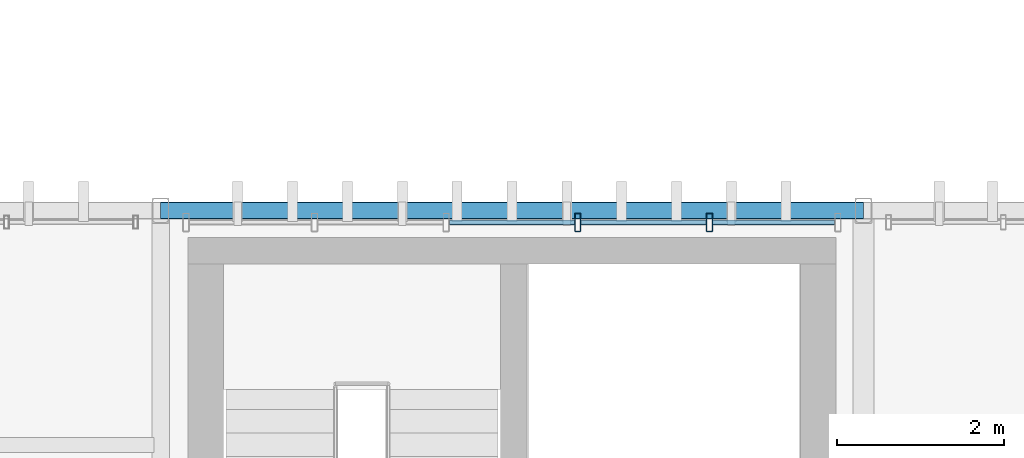
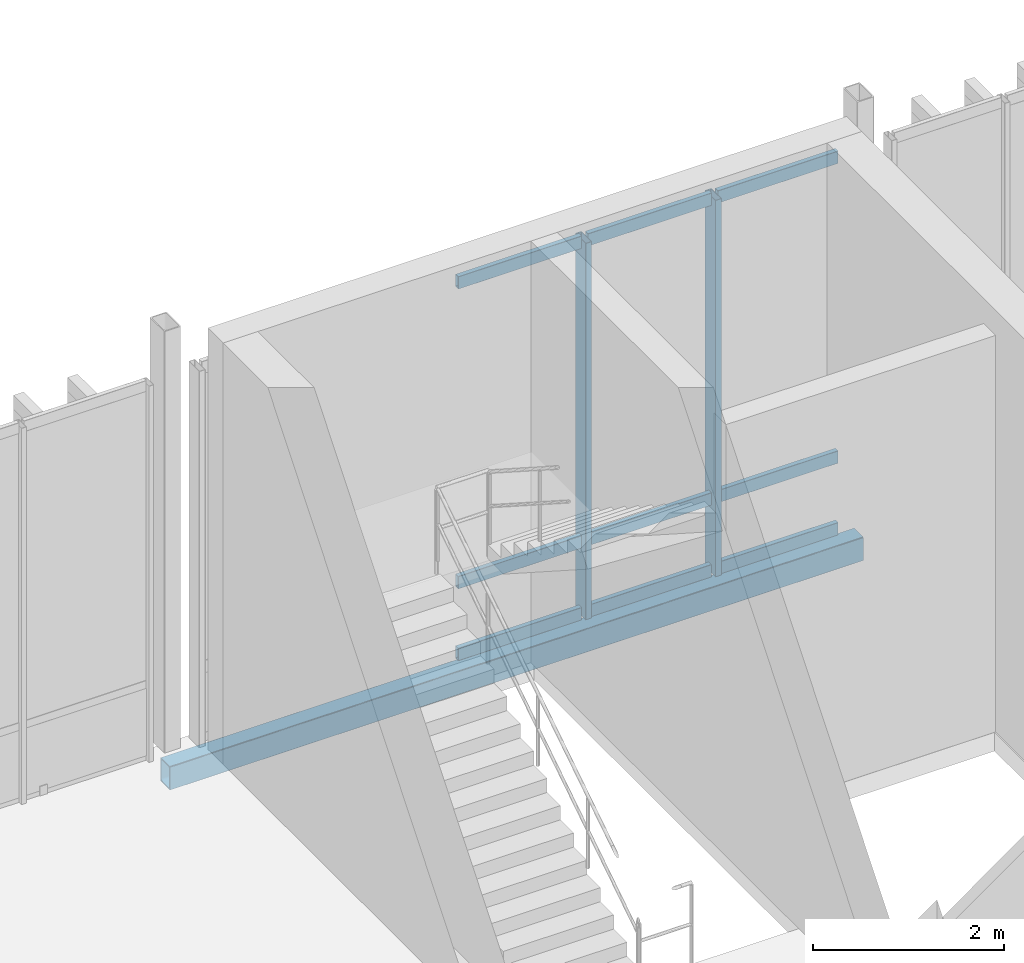
# One storey, part 34 of 128: 11 members, 1 beam, 1 element without a shape of its own.
"""IFC4 building model written with IfcOpenShell, lengths in metres."""

from ifc_helpers import new_model, si_unit, direction, frame, origin_with_axes, origin_2d_with_axis, place, context, subcontext, project, spatial, hollow_rectangle, extrude, material, material_profile, profile_set, type_object, element, aggregate, save


model = new_model("IFC4")

# Units and contexts
model_context = context("Model", 3, precision=1e-05, world=origin_with_axes(), true_north=direction((0.0, 1.0)))
body_context = subcontext(model_context, "Body", "Model", "MODEL_VIEW")
ifc_project = project(units=[si_unit("LENGTHUNIT", "METRE"), si_unit("AREAUNIT", "SQUARE_METRE"), si_unit("VOLUMEUNIT", "CUBIC_METRE"), si_unit("PLANEANGLEUNIT", "RADIAN"), si_unit("MASSUNIT", "GRAM", prefix="KILO"), si_unit("THERMODYNAMICTEMPERATUREUNIT", "KELVIN")], contexts=[model_context])

# Site, building, storey
site_placement = place(None, origin_with_axes())
site = spatial("IfcSite", under=ifc_project, at=site_placement, CompositionType="ELEMENT")
building_placement = place(site_placement, origin_with_axes())
building = spatial("IfcBuilding", under=site, at=building_placement, Name="Montbau Bow Law Courts", CompositionType="ELEMENT")
storey_placement = place(building_placement, frame((0.0, 0.0, 5.4), z_axis=(0.0, 0.0, 1.0), x_axis=(1.0, 0.0, 0.0)))
storey = spatial("IfcBuildingStorey", under=building, at=storey_placement, Name="L01", CompositionType="ELEMENT", Elevation=5.4)

# Beam
ifc_material_1 = material(Name="Steel CSA G40.21 Grade 350WT (350 MPa)", Category="steel")
ifc_material_profile_1 = material_profile(ifc_material_1, hollow_rectangle(XDim=0.203, YDim=0.305, WallThickness=0.0127, InnerFilletRadius=0.0254, OuterFilletRadius=0.0127, at=origin_2d_with_axis()), Name="HSS305X203X13", Category="Main", Priority=0)
ifc_profile_set_1 = profile_set([ifc_material_profile_1], Name="Steel CSA G40.21 Grade 350WT (350 MPa)")
beam_type = type_object("IfcBeamType", Name="B-SPN-02", PredefinedType="SPANDREL", material=ifc_profile_set_1)
beam_placement = place(None, frame((30.6, 54.6, 5.008), z_axis=(1.0, 0.0, 0.0), x_axis=(0.0, 1.0, 0.0)))
element("IfcBeam", 1, at=beam_placement, inside=storey, type_object=beam_type, Name="SPN-L01-S0532:bm2_0535", PredefinedType="SPANDREL", context=body_context, shape_type="SweptSolid", body=[
    extrude(hollow_rectangle(XDim=0.203, YDim=0.305, WallThickness=0.0127, InnerFilletRadius=0.0254, OuterFilletRadius=0.0127, at=origin_2d_with_axis()), origin_with_axes(), (0.0, 0.0, 1.0), 8.4),
])

# Curtain wall, members
ifc_material_2 = material(Name="Thermally Broken Extruded Aluminium AA 6063-T6", Category="aluminium")
curtain_wall_type = type_object("IfcCurtainWallType", Name="CW-TRC-01", PredefinedType="NOTDEFINED", material=ifc_material_2)
curtain_wall_placement = place(None, frame((30.867, 54.46, 5.4), z_axis=(0.0, 0.0, 1.0), x_axis=(1.0, 0.0, 0.0)))
curtain_wall = element("IfcCurtainWall", 2, at=curtain_wall_placement, inside=storey, type_object=curtain_wall_type, Name="CW-L01-024:cw_0024", PredefinedType="NOTDEFINED")
ifc_material_profile_2 = material_profile(ifc_material_2, hollow_rectangle(XDim=0.075, YDim=0.22, WallThickness=0.005, InnerFilletRadius=0.01, OuterFilletRadius=0.005, at=origin_2d_with_axis()), Name="CWM-220X75", Category="Main", Priority=0)
ifc_profile_set_2 = profile_set([ifc_material_profile_2], Name="Thermally Broken Extruded Aluminium AA 6063-T6")
member_type_1 = type_object("IfcMemberType", Name="M-MUL-01", PredefinedType="MULLION", material=ifc_profile_set_2)
member_1_placement = place(None, frame((35.586, 54.46, 5.4), z_axis=(0.0, 0.0, 1.0), x_axis=(1.0, 0.0, 0.0)))
member_1 = element("IfcMember", 3, at=member_1_placement, type_object=member_type_1, Name="CW-L01-024-M04:cw_0024_M04", PredefinedType="MULLION", context=body_context, shape_type="SweptSolid", body=[
    extrude(hollow_rectangle(XDim=0.075, YDim=0.22, WallThickness=0.005, InnerFilletRadius=0.01, OuterFilletRadius=0.005, at=origin_2d_with_axis()), origin_with_axes(), (0.0, 0.0, 1.0), 4.82),
])
member_2_placement = place(None, frame((37.159, 54.46, 5.4), z_axis=(0.0, 0.0, 1.0), x_axis=(1.0, 0.0, 0.0)))
member_2 = element("IfcMember", 4, at=member_2_placement, type_object=member_type_1, Name="CW-L01-024-M05:cw_0024_M05", PredefinedType="MULLION", context=body_context, shape_type="SweptSolid", body=[
    extrude(hollow_rectangle(XDim=0.075, YDim=0.22, WallThickness=0.005, InnerFilletRadius=0.01, OuterFilletRadius=0.005, at=origin_2d_with_axis()), origin_with_axes(), (0.0, 0.0, 1.0), 4.82),
])
ifc_material_profile_3 = material_profile(ifc_material_2, hollow_rectangle(XDim=0.06, YDim=0.16, WallThickness=0.004, InnerFilletRadius=0.008, OuterFilletRadius=0.004, at=origin_2d_with_axis()), Name="CWT-160X60", Category="Main", Priority=0)
ifc_profile_set_3 = profile_set([ifc_material_profile_3], Name="Thermally Broken Extruded Aluminium AA 6063-T6")
member_type_2 = type_object("IfcMemberType", Name="M-TRN-01", PredefinedType="USERDEFINED", material=ifc_profile_set_3)
member_3_placement = place(None, frame((34.052, 54.46, 5.43), z_axis=(1.0, 0.0, 0.0), x_axis=(0.0, 1.0, 0.0)))
member_3 = element("IfcMember", 5, at=member_3_placement, type_object=member_type_2, Name="CW-L01-024-T03-1:cw_0024_T03_1", ObjectType="TRANSOM", PredefinedType="USERDEFINED", context=body_context, shape_type="SweptSolid", body=[
    extrude(hollow_rectangle(XDim=0.06, YDim=0.16, WallThickness=0.004, InnerFilletRadius=0.008, OuterFilletRadius=0.004, at=origin_2d_with_axis()), origin_with_axes(), (0.0, 0.0, 1.0), 1.495),
])
member_4_placement = place(None, frame((34.052, 54.46, 6.35), z_axis=(1.0, 0.0, 0.0), x_axis=(0.0, 1.0, 0.0)))
member_4 = element("IfcMember", 6, at=member_4_placement, type_object=member_type_2, Name="CW-L01-024-T03-2:cw_0024_T03_2", ObjectType="TRANSOM", PredefinedType="USERDEFINED", context=body_context, shape_type="SweptSolid", body=[
    extrude(hollow_rectangle(XDim=0.06, YDim=0.16, WallThickness=0.004, InnerFilletRadius=0.008, OuterFilletRadius=0.004, at=origin_2d_with_axis()), origin_with_axes(), (0.0, 0.0, 1.0), 1.495),
])
member_5_placement = place(None, frame((34.052, 54.46, 10.19), z_axis=(1.0, 0.0, 0.0), x_axis=(0.0, 1.0, 0.0)))
member_5 = element("IfcMember", 7, at=member_5_placement, type_object=member_type_2, Name="CW-L01-024-T03-3:cw_0024_T03_3", ObjectType="TRANSOM", PredefinedType="USERDEFINED", context=body_context, shape_type="SweptSolid", body=[
    extrude(hollow_rectangle(XDim=0.06, YDim=0.16, WallThickness=0.004, InnerFilletRadius=0.008, OuterFilletRadius=0.004, at=origin_2d_with_axis()), origin_with_axes(), (0.0, 0.0, 1.0), 1.495),
])
member_6_placement = place(None, frame((35.625, 54.46, 5.43), z_axis=(1.0, 0.0, 0.0), x_axis=(0.0, 1.0, 0.0)))
member_6 = element("IfcMember", 8, at=member_6_placement, type_object=member_type_2, Name="CW-L01-024-T04-1:cw_0024_T04_1", ObjectType="TRANSOM", PredefinedType="USERDEFINED", context=body_context, shape_type="SweptSolid", body=[
    extrude(hollow_rectangle(XDim=0.06, YDim=0.16, WallThickness=0.004, InnerFilletRadius=0.008, OuterFilletRadius=0.004, at=origin_2d_with_axis()), origin_with_axes(), (0.0, 0.0, 1.0), 1.495),
])
member_7_placement = place(None, frame((35.625, 54.46, 6.35), z_axis=(1.0, 0.0, 0.0), x_axis=(0.0, 1.0, 0.0)))
member_7 = element("IfcMember", 9, at=member_7_placement, type_object=member_type_2, Name="CW-L01-024-T04-2:cw_0024_T04_2", ObjectType="TRANSOM", PredefinedType="USERDEFINED", context=body_context, shape_type="SweptSolid", body=[
    extrude(hollow_rectangle(XDim=0.06, YDim=0.16, WallThickness=0.004, InnerFilletRadius=0.008, OuterFilletRadius=0.004, at=origin_2d_with_axis()), origin_with_axes(), (0.0, 0.0, 1.0), 1.495),
])
member_8_placement = place(None, frame((35.625, 54.46, 10.19), z_axis=(1.0, 0.0, 0.0), x_axis=(0.0, 1.0, 0.0)))
member_8 = element("IfcMember", 10, at=member_8_placement, type_object=member_type_2, Name="CW-L01-024-T04-3:cw_0024_T04_3", ObjectType="TRANSOM", PredefinedType="USERDEFINED", context=body_context, shape_type="SweptSolid", body=[
    extrude(hollow_rectangle(XDim=0.06, YDim=0.16, WallThickness=0.004, InnerFilletRadius=0.008, OuterFilletRadius=0.004, at=origin_2d_with_axis()), origin_with_axes(), (0.0, 0.0, 1.0), 1.495),
])
member_9_placement = place(None, frame((37.198, 54.46, 5.43), z_axis=(1.0, 0.0, 0.0), x_axis=(0.0, 1.0, 0.0)))
member_9 = element("IfcMember", 11, at=member_9_placement, type_object=member_type_2, Name="CW-L01-024-T05-1:cw_0024_T05_1", ObjectType="TRANSOM", PredefinedType="USERDEFINED", context=body_context, shape_type="SweptSolid", body=[
    extrude(hollow_rectangle(XDim=0.06, YDim=0.16, WallThickness=0.004, InnerFilletRadius=0.008, OuterFilletRadius=0.004, at=origin_2d_with_axis()), origin_with_axes(), (0.0, 0.0, 1.0), 1.457),
])
member_10_placement = place(None, frame((37.198, 54.46, 6.35), z_axis=(1.0, 0.0, 0.0), x_axis=(0.0, 1.0, 0.0)))
member_10 = element("IfcMember", 12, at=member_10_placement, type_object=member_type_2, Name="CW-L01-024-T05-2:cw_0024_T05_2", ObjectType="TRANSOM", PredefinedType="USERDEFINED", context=body_context, shape_type="SweptSolid", body=[
    extrude(hollow_rectangle(XDim=0.06, YDim=0.16, WallThickness=0.004, InnerFilletRadius=0.008, OuterFilletRadius=0.004, at=origin_2d_with_axis()), origin_with_axes(), (0.0, 0.0, 1.0), 1.457),
])
member_11_placement = place(None, frame((37.198, 54.46, 10.19), z_axis=(1.0, 0.0, 0.0), x_axis=(0.0, 1.0, 0.0)))
member_11 = element("IfcMember", 13, at=member_11_placement, type_object=member_type_2, Name="CW-L01-024-T05-3:cw_0024_T05_3", ObjectType="TRANSOM", PredefinedType="USERDEFINED", context=body_context, shape_type="SweptSolid", body=[
    extrude(hollow_rectangle(XDim=0.06, YDim=0.16, WallThickness=0.004, InnerFilletRadius=0.008, OuterFilletRadius=0.004, at=origin_2d_with_axis()), origin_with_axes(), (0.0, 0.0, 1.0), 1.457),
])
aggregate(curtain_wall, [member_1, member_2, member_3, member_4, member_5, member_6, member_7, member_8, member_9, member_10, member_11])

save(model, "model.ifc")
